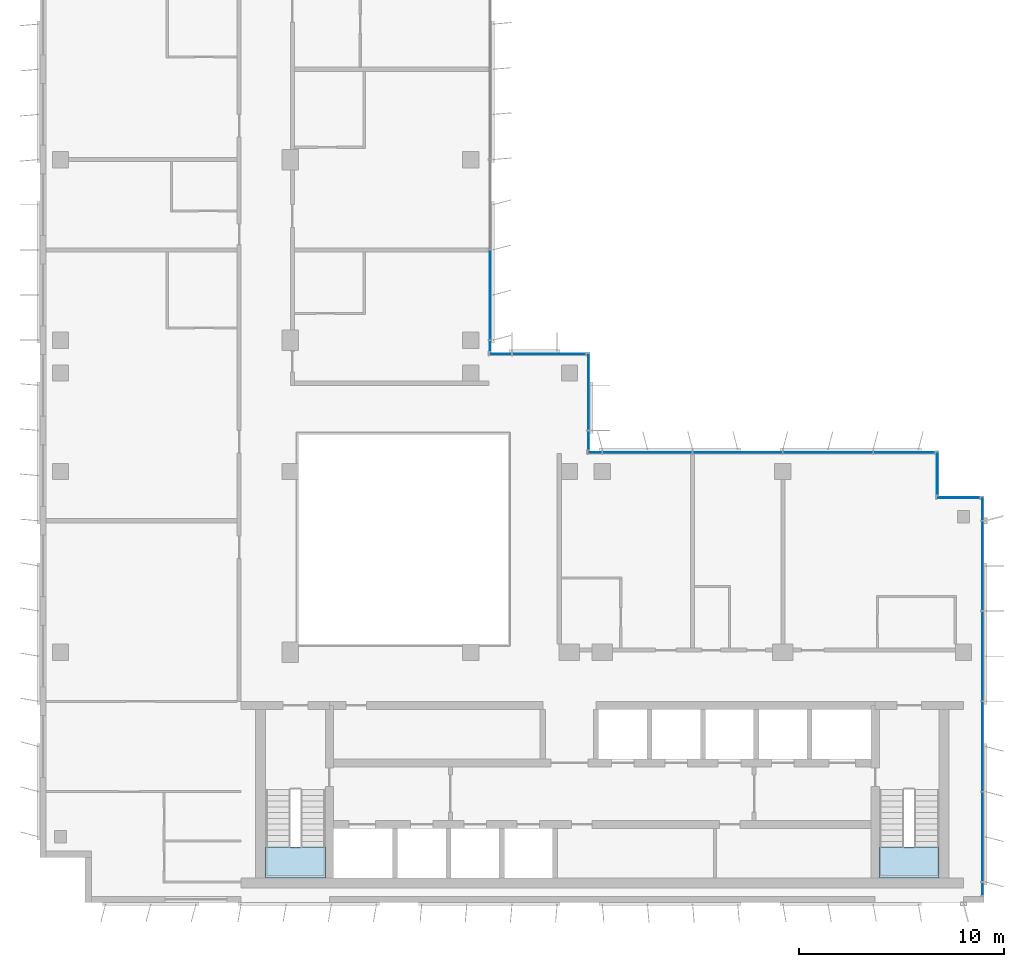
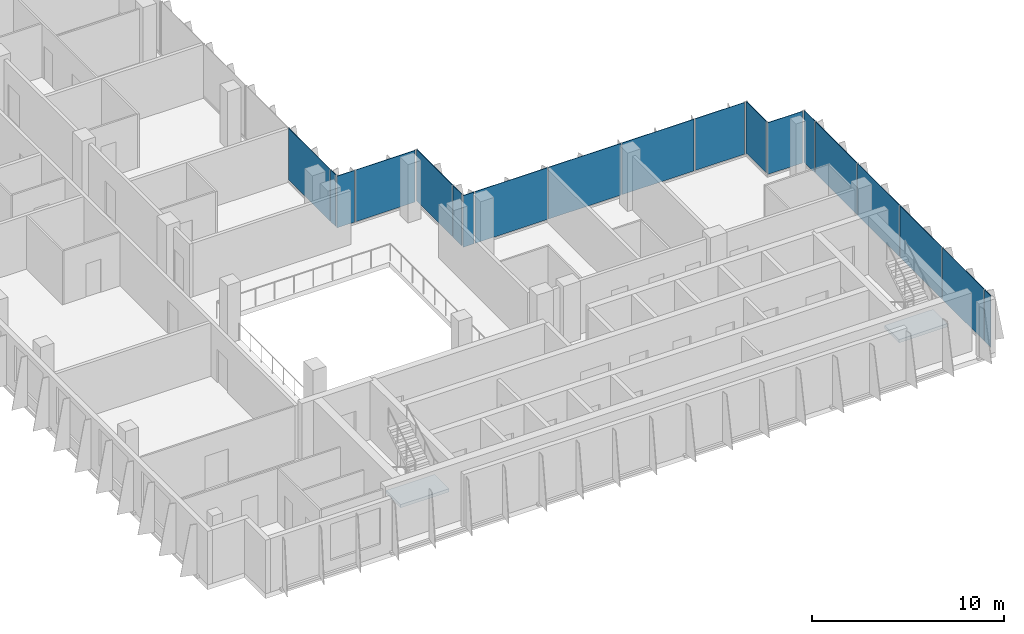
# One storey, part 7 of 15: 19 plates, 2 slabs, 9 elements without a shape of their own.
"""IFC4 building model written with IfcOpenShell, lengths in metres."""

from ifc_helpers import new_model, si_unit, direction, frame, origin, origin_2d, place, context, subcontext, project, spatial, polyline, rectangle, outline, extrude, source, transform, mapped, material, layer, layer_set, type_object, element, aggregate, save


model = new_model("IFC4")

# Units and contexts
model_context = context("Model", 3, precision=1e-05, world=origin(), true_north=direction((0.0, 1.0)))
body_context = subcontext(model_context, "Body", "Model", "MODEL_VIEW")
ifc_project = project(units=[si_unit("LENGTHUNIT", "METRE"), si_unit("AREAUNIT", "SQUARE_METRE"), si_unit("VOLUMEUNIT", "CUBIC_METRE"), si_unit("PLANEANGLEUNIT", "RADIAN"), si_unit("MASSUNIT", "GRAM", prefix="KILO")], contexts=[model_context])

# Site, building, storey
site_placement = place(None, origin())
site = spatial("IfcSite", under=ifc_project, at=site_placement, CompositionType="ELEMENT")
building_placement = place(site_placement, origin())
building = spatial("IfcBuilding", under=site, at=building_placement, Name="Kemantara Hotel Tower", CompositionType="ELEMENT")
storey_placement = place(building_placement, frame((0.0, 0.0, 264.800048828125)))
storey = spatial("IfcBuildingStorey", under=building, at=storey_placement, Name="L66", CompositionType="ELEMENT", Elevation=264.800048828125)

# Stair, slab
ifc_material_1 = material(Name="Concrete fc 40 MPa", Category="concrete")
stair_type = type_object("IfcStairType", Name="Stair 1200 wide 22 risers of 168 x 280 mm", PredefinedType="HALF_TURN_STAIR", material=ifc_material_1)
stair_1_placement = place(storey_placement, origin())
stair_1 = element("IfcStair", 1, at=stair_1_placement, inside=storey, type_object=stair_type, Name="L66 Exit stair ST1", PredefinedType="HALF_TURN_STAIR")
ifc_layer_1 = layer(ifc_material_1, 0.199951171875)
ifc_layer_set_1 = layer_set([ifc_layer_1], Name="Concrete fc 40 MPa")
slab_type = type_object("IfcSlabType", Name="Stair landing 200 mm", PredefinedType="LANDING", material=ifc_layer_set_1)
slab_1_placement = place(storey_placement, frame((0.0, 0.0, 1.64990234375)))
slab_1 = element("IfcSlab", 2, at=slab_1_placement, type_object=slab_type, Name="ST1 landing 1", PredefinedType="LANDING", context=body_context, shape_type="SweptSolid", body=[
    extrude(outline(polyline([(11.0, 2.699951171875), (11.0, 1.199951171875), (13.89990234375, 1.199951171875), (13.89990234375, 2.699951171875), (11.0, 2.699951171875)])), origin(), (0.0, 0.0, 1.0), 0.199951171875),
])
aggregate(stair_1, [slab_1])

stair_2_placement = place(storey_placement, origin())
stair_2 = element("IfcStair", 3, at=stair_2_placement, inside=storey, type_object=stair_type, Name="L66 Exit stair ST2", PredefinedType="HALF_TURN_STAIR")
slab_2_placement = place(storey_placement, frame((0.0, 0.0, 1.64990234375)))
slab_2 = element("IfcSlab", 4, at=slab_2_placement, type_object=slab_type, Name="ST2 landing 1", PredefinedType="LANDING", context=body_context, shape_type="SweptSolid", body=[
    extrude(outline(polyline([(40.89990234375, 2.699951171875), (40.89990234375, 1.199951171875), (43.800048828125, 1.199951171875), (43.800048828125, 2.699951171875), (40.89990234375, 2.699951171875)])), origin(), (0.0, 0.0, 1.0), 0.199951171875),
])
aggregate(stair_2, [slab_2])

# Curtain wall, plates
ifc_material_2 = material(Name="Low-E tinted double insulated glass 36 mm", Category="glass")
curtain_wall_type = type_object("IfcCurtainWallType", Name="TOWER CURTAIN WALL, FRONT FACES", PredefinedType="USERDEFINED", material=ifc_material_2)
curtain_wall_1_placement = place(storey_placement, origin())
curtain_wall_1 = element("IfcCurtainWall", 5, at=curtain_wall_1_placement, inside=storey, type_object=curtain_wall_type, Name="CW4 L66 T4-R09-1", ObjectType="TOWER CURTAIN WALL, FRONT FACES", PredefinedType="USERDEFINED")
ifc_layer_2 = layer(ifc_material_2, 0.035888671875)
ifc_layer_set_2 = layer_set([ifc_layer_2], Name="Low-E tinted double insulated glass 36 mm")
plate_type = type_object("IfcPlateType", Name="TOWER CURTAIN WALL, FRONT FACES PANEL", PredefinedType="CURTAIN_PANEL", material=ifc_layer_set_2)
shared_shape_1 = source(origin(), body_context, "Body", "SweptSolid", [
    extrude(rectangle(XDim=4.340087890625, YDim=0.035888671875, at=origin_2d()), origin(), (0.0, 0.0, 1.0), 3.280029296875),
])
plate_1_placement = place(storey_placement, frame((45.925048828125, 3.199951171875, 0.1201171875), z_axis=(0.0, 0.0, 1.0), x_axis=(0.0, 1.0, 0.0)))
plate_1 = element("IfcPlate", 6, at=plate_1_placement, type_object=plate_type, Name="CW4 glass panel T4-R09-1.2", PredefinedType="CURTAIN_PANEL", context=body_context, shape_type="MappedRepresentation", body=[
    mapped(shared_shape_1, transform((0.0, 0.0, 0.0))),
])
plate_2_placement = place(storey_placement, frame((45.925048828125, 7.60009765625, 0.1201171875), z_axis=(0.0, 0.0, 1.0), x_axis=(0.0, 1.0, 0.0)))
plate_2 = element("IfcPlate", 7, at=plate_2_placement, type_object=plate_type, Name="CW4 glass panel T4-R09-1.3", PredefinedType="CURTAIN_PANEL", context=body_context, shape_type="MappedRepresentation", body=[
    mapped(shared_shape_1, transform((0.0, 0.0, 0.0))),
])
plate_3_placement = place(storey_placement, frame((45.925048828125, 12.0, 0.1201171875), z_axis=(0.0, 0.0, 1.0), x_axis=(0.0, 1.0, 0.0)))
plate_3 = element("IfcPlate", 8, at=plate_3_placement, type_object=plate_type, Name="CW4 glass panel T4-R09-1.4", PredefinedType="CURTAIN_PANEL", context=body_context, shape_type="MappedRepresentation", body=[
    mapped(shared_shape_1, transform((0.0, 0.0, 0.0))),
])
plate_4_placement = place(storey_placement, frame((45.925048828125, 16.39990234375, 0.1201171875), z_axis=(0.0, 0.0, 1.0), x_axis=(0.0, 1.0, 0.0)))
plate_4 = element("IfcPlate", 9, at=plate_4_placement, type_object=plate_type, Name="CW4 glass panel T4-R09-1.5", PredefinedType="CURTAIN_PANEL", context=body_context, shape_type="MappedRepresentation", body=[
    mapped(shared_shape_1, transform((0.0, 0.0, 0.0))),
])

curtain_wall_2_placement = place(storey_placement, origin())
curtain_wall_2 = element("IfcCurtainWall", 10, at=curtain_wall_2_placement, inside=storey, type_object=curtain_wall_type, Name="CW4 L66 T4-R12-1", ObjectType="TOWER CURTAIN WALL, FRONT FACES", PredefinedType="USERDEFINED")
plate_5_placement = place(storey_placement, frame((38.39990234375, 21.925048828125, 0.1201171875), z_axis=(0.0, 0.0, 1.0), x_axis=(-1.0, 0.0, 0.0)))
plate_5 = element("IfcPlate", 11, at=plate_5_placement, type_object=plate_type, Name="CW4 glass panel T4-R12-1.2", PredefinedType="CURTAIN_PANEL", context=body_context, shape_type="MappedRepresentation", body=[
    mapped(shared_shape_1, transform((0.0, 0.0, 0.0))),
])
plate_6_placement = place(storey_placement, frame((34.0, 21.925048828125, 0.1201171875), z_axis=(0.0, 0.0, 1.0), x_axis=(-1.0, 0.0, 0.0)))
plate_6 = element("IfcPlate", 12, at=plate_6_placement, type_object=plate_type, Name="CW4 glass panel T4-R12-1.3", PredefinedType="CURTAIN_PANEL", context=body_context, shape_type="MappedRepresentation", body=[
    mapped(shared_shape_1, transform((0.0, 0.0, 0.0))),
])
plate_7_placement = place(storey_placement, frame((29.60009765625, 21.925048828125, 0.1201171875), z_axis=(0.0, 0.0, 1.0), x_axis=(-1.0, 0.0, 0.0)))
plate_7 = element("IfcPlate", 13, at=plate_7_placement, type_object=plate_type, Name="CW4 glass panel T4-R12-1.4", PredefinedType="CURTAIN_PANEL", context=body_context, shape_type="MappedRepresentation", body=[
    mapped(shared_shape_1, transform((0.0, 0.0, 0.0))),
])

# Curtain wall, plate
curtain_wall_3_placement = place(storey_placement, origin())
curtain_wall_3 = element("IfcCurtainWall", 14, at=curtain_wall_3_placement, inside=storey, type_object=curtain_wall_type, Name="CW4 L66 T4-R15-1", ObjectType="TOWER CURTAIN WALL, FRONT FACES", PredefinedType="USERDEFINED")
plate_8_placement = place(storey_placement, frame((21.925048828125, 29.60009765625, 0.1201171875), z_axis=(0.0, 0.0, 1.0), x_axis=(0.0, 1.0, 0.0)))
plate_8 = element("IfcPlate", 15, at=plate_8_placement, type_object=plate_type, Name="CW4 glass panel T4-R15-1.2", PredefinedType="CURTAIN_PANEL", context=body_context, shape_type="MappedRepresentation", body=[
    mapped(shared_shape_1, transform((0.0, 0.0, 0.0))),
])

curtain_wall_4_placement = place(storey_placement, origin())
curtain_wall_4 = element("IfcCurtainWall", 16, at=curtain_wall_4_placement, inside=storey, type_object=curtain_wall_type, Name="CW4 L66 T4-R10-1", ObjectType="TOWER CURTAIN WALL, FRONT FACES", PredefinedType="USERDEFINED")
shared_shape_2 = source(origin(), body_context, "Body", "SweptSolid", [
    extrude(rectangle(XDim=2.080078125, YDim=0.035888671875, at=origin_2d()), origin(), (0.0, 0.0, 1.0), 3.280029296875),
])
plate_9_placement = place(storey_placement, frame((44.75, 19.72509765625, 0.1201171875), z_axis=(0.0, 0.0, 1.0), x_axis=(-1.0, 0.0, 0.0)))
plate_9 = element("IfcPlate", 17, at=plate_9_placement, type_object=plate_type, Name="CW4 glass panel T4-R10-1.1", PredefinedType="CURTAIN_PANEL", context=body_context, shape_type="MappedRepresentation", body=[
    mapped(shared_shape_2, transform((0.0, 0.0, 0.0))),
])
aggregate(curtain_wall_4, [plate_9])

curtain_wall_5_placement = place(storey_placement, origin())
curtain_wall_5 = element("IfcCurtainWall", 18, at=curtain_wall_5_placement, inside=storey, type_object=curtain_wall_type, Name="CW4 L66 T4-R11-1", ObjectType="TOWER CURTAIN WALL, FRONT FACES", PredefinedType="USERDEFINED")
plate_10_placement = place(storey_placement, frame((43.72509765625, 20.89990234375, 0.1201171875), z_axis=(0.0, 0.0, 1.0), x_axis=(0.0, 1.0, 0.0)))
plate_10 = element("IfcPlate", 19, at=plate_10_placement, type_object=plate_type, Name="CW4 glass panel T4-R11-1.1", PredefinedType="CURTAIN_PANEL", context=body_context, shape_type="MappedRepresentation", body=[
    mapped(shared_shape_2, transform((0.0, 0.0, 0.0))),
])
aggregate(curtain_wall_5, [plate_10])

# Plate
shared_shape_3 = source(origin(), body_context, "Body", "SweptSolid", [
    extrude(rectangle(XDim=2.9599609375, YDim=0.035888671875, at=origin_2d()), origin(), (0.0, 0.0, 1.0), 3.280029296875),
])
plate_11_placement = place(storey_placement, frame((42.110107421875, 21.925048828125, 0.1201171875), z_axis=(0.0, 0.0, 1.0), x_axis=(-1.0, 0.0, 0.0)))
plate_11 = element("IfcPlate", 20, at=plate_11_placement, type_object=plate_type, Name="CW4 glass panel T4-R12-1.1", PredefinedType="CURTAIN_PANEL", context=body_context, shape_type="MappedRepresentation", body=[
    mapped(shared_shape_3, transform((0.0, 0.0, 0.0))),
])

shared_shape_4 = source(origin(), body_context, "Body", "SweptSolid", [
    extrude(rectangle(XDim=0.659912109375, YDim=0.035888671875, at=origin_2d()), origin(), (0.0, 0.0, 1.0), 3.280029296875),
])
plate_12_placement = place(storey_placement, frame((27.0400390625, 21.925048828125, 0.1201171875), z_axis=(0.0, 0.0, 1.0), x_axis=(-1.0, 0.0, 0.0)))
plate_12 = element("IfcPlate", 21, at=plate_12_placement, type_object=plate_type, Name="CW4 glass panel T4-R12-1.5", PredefinedType="CURTAIN_PANEL", context=body_context, shape_type="MappedRepresentation", body=[
    mapped(shared_shape_4, transform((0.0, 0.0, 0.0))),
])

aggregate(curtain_wall_2, [plate_11, plate_5, plate_6, plate_7, plate_12])

shared_shape_5 = source(origin(), body_context, "Body", "SweptSolid", [
    extrude(rectangle(XDim=0.510009765625, YDim=0.035888671875, at=origin_2d()), origin(), (0.0, 0.0, 1.0), 3.280029296875),
])
plate_13_placement = place(storey_placement, frame((21.925048828125, 27.114990234375, 0.1201171875), z_axis=(0.0, 0.0, 1.0), x_axis=(0.0, 1.0, 0.0)))
plate_13 = element("IfcPlate", 22, at=plate_13_placement, type_object=plate_type, Name="CW4 glass panel T4-R15-1.1", PredefinedType="CURTAIN_PANEL", context=body_context, shape_type="MappedRepresentation", body=[
    mapped(shared_shape_5, transform((0.0, 0.0, 0.0))),
])

aggregate(curtain_wall_3, [plate_13, plate_8])

# Curtain wall, plate
curtain_wall_6_placement = place(storey_placement, origin())
curtain_wall_6 = element("IfcCurtainWall", 23, at=curtain_wall_6_placement, inside=storey, type_object=curtain_wall_type, Name="CW4 L66 T4-R13-1", ObjectType="TOWER CURTAIN WALL, FRONT FACES", PredefinedType="USERDEFINED")
shared_shape_6 = source(origin(), body_context, "Body", "SweptSolid", [
    extrude(rectangle(XDim=0.909912109375, YDim=0.035888671875, at=origin_2d()), origin(), (0.0, 0.0, 1.0), 3.280029296875),
])
plate_14_placement = place(storey_placement, frame((26.72509765625, 22.514892578125, 0.1201171875), z_axis=(0.0, 0.0, 1.0), x_axis=(0.0, 1.0, 0.0)))
plate_14 = element("IfcPlate", 24, at=plate_14_placement, type_object=plate_type, Name="CW4 glass panel T4-R13-1.1", PredefinedType="CURTAIN_PANEL", context=body_context, shape_type="MappedRepresentation", body=[
    mapped(shared_shape_6, transform((0.0, 0.0, 0.0))),
])

# Plate
shared_shape_7 = source(origin(), body_context, "Body", "SweptSolid", [
    extrude(rectangle(XDim=1.110107421875, YDim=0.035888671875, at=origin_2d()), origin(), (0.0, 0.0, 1.0), 3.280029296875),
])
plate_15_placement = place(storey_placement, frame((45.925048828125, 19.18505859375, 0.1201171875), z_axis=(0.0, 0.0, 1.0), x_axis=(0.0, 1.0, 0.0)))
plate_15 = element("IfcPlate", 25, at=plate_15_placement, type_object=plate_type, Name="CW4 glass panel T4-R09-1.6", PredefinedType="CURTAIN_PANEL", context=body_context, shape_type="MappedRepresentation", body=[
    mapped(shared_shape_7, transform((0.0, 0.0, 0.0))),
])

shared_shape_8 = source(origin(), body_context, "Body", "SweptSolid", [
    extrude(rectangle(XDim=3.7099609375, YDim=0.035888671875, at=origin_2d()), origin(), (0.0, 0.0, 1.0), 3.280029296875),
])
plate_16_placement = place(storey_placement, frame((26.72509765625, 24.885009765625, 0.1201171875), z_axis=(0.0, 0.0, 1.0), x_axis=(0.0, 1.0, 0.0)))
plate_16 = element("IfcPlate", 26, at=plate_16_placement, type_object=plate_type, Name="CW4 glass panel T4-R13-1.2", PredefinedType="CURTAIN_PANEL", context=body_context, shape_type="MappedRepresentation", body=[
    mapped(shared_shape_8, transform((0.0, 0.0, 0.0))),
])

aggregate(curtain_wall_6, [plate_14, plate_16])

# Curtain wall, plates
curtain_wall_7_placement = place(storey_placement, origin())
curtain_wall_7 = element("IfcCurtainWall", 27, at=curtain_wall_7_placement, inside=storey, type_object=curtain_wall_type, Name="CW4 L66 T4-R14-1", ObjectType="TOWER CURTAIN WALL, FRONT FACES", PredefinedType="USERDEFINED")
shared_shape_9 = source(origin(), body_context, "Body", "SweptSolid", [
    extrude(rectangle(XDim=3.56005859375, YDim=0.035888671875, at=origin_2d()), origin(), (0.0, 0.0, 1.0), 3.280029296875),
])
plate_17_placement = place(storey_placement, frame((24.81005859375, 26.72509765625, 0.1201171875), z_axis=(0.0, 0.0, 1.0), x_axis=(-1.0, 0.0, 0.0)))
plate_17 = element("IfcPlate", 28, at=plate_17_placement, type_object=plate_type, Name="CW4 glass panel T4-R14-1.1", PredefinedType="CURTAIN_PANEL", context=body_context, shape_type="MappedRepresentation", body=[
    mapped(shared_shape_9, transform((0.0, 0.0, 0.0))),
])
shared_shape_10 = source(origin(), body_context, "Body", "SweptSolid", [
    extrude(rectangle(XDim=1.06005859375, YDim=0.035888671875, at=origin_2d()), origin(), (0.0, 0.0, 1.0), 3.280029296875),
])
plate_18_placement = place(storey_placement, frame((22.43994140625, 26.72509765625, 0.1201171875), z_axis=(0.0, 0.0, 1.0), x_axis=(-1.0, 0.0, 0.0)))
plate_18 = element("IfcPlate", 29, at=plate_18_placement, type_object=plate_type, Name="CW4 glass panel T4-R14-1.2", PredefinedType="CURTAIN_PANEL", context=body_context, shape_type="MappedRepresentation", body=[
    mapped(shared_shape_10, transform((0.0, 0.0, 0.0))),
])
aggregate(curtain_wall_7, [plate_17, plate_18])

# Plate
shared_shape_11 = source(origin(), body_context, "Body", "SweptSolid", [
    extrude(rectangle(XDim=0.610107421875, YDim=0.035888671875, at=origin_2d()), origin(), (0.0, 0.0, 1.0), 3.280029296875),
])
plate_19_placement = place(storey_placement, frame((45.925048828125, 0.6650390625, 0.1201171875), z_axis=(0.0, 0.0, 1.0), x_axis=(0.0, 1.0, 0.0)))
plate_19 = element("IfcPlate", 30, at=plate_19_placement, type_object=plate_type, Name="CW4 glass panel T4-R09-1.1", PredefinedType="CURTAIN_PANEL", context=body_context, shape_type="MappedRepresentation", body=[
    mapped(shared_shape_11, transform((0.0, 0.0, 0.0))),
])

aggregate(curtain_wall_1, [plate_19, plate_1, plate_2, plate_3, plate_4, plate_15])

save(model, "model.ifc")
